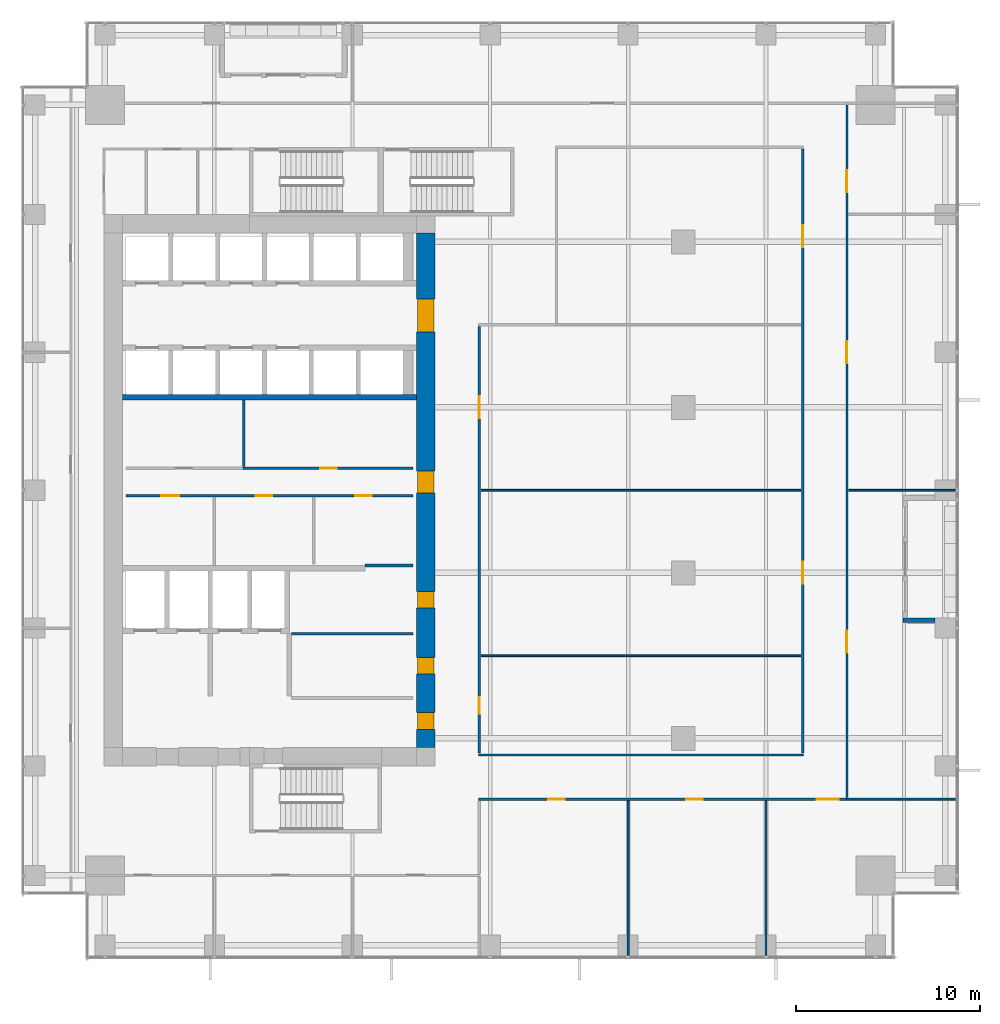
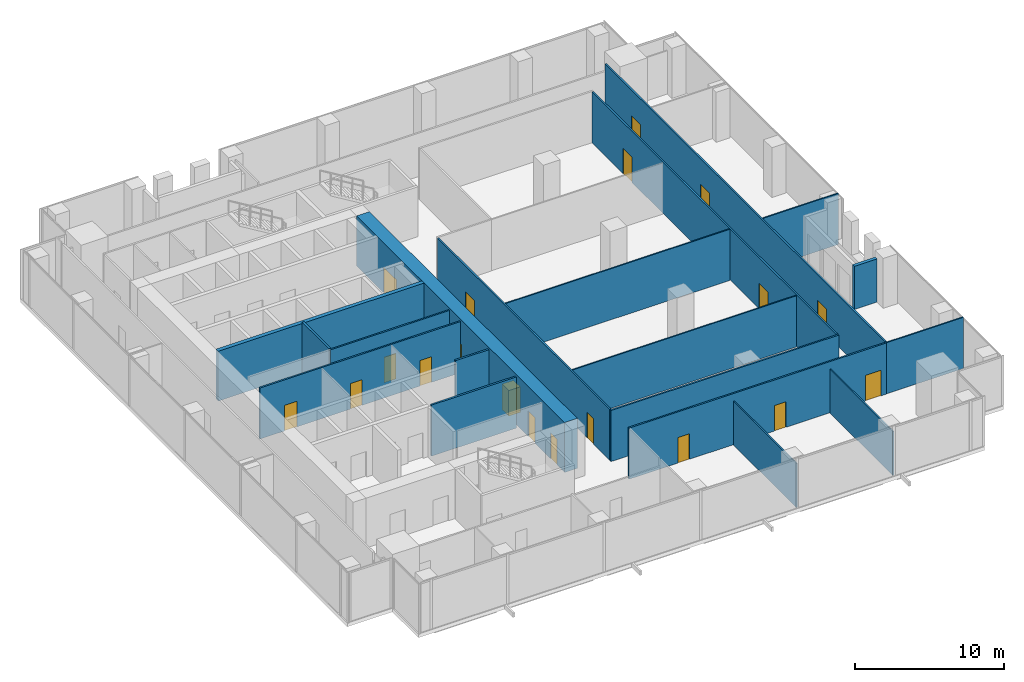
# One storey, part 29 of 34: 19 doors, 19 walls, 19 openings.
"""IFC4 building model written with IfcOpenShell, lengths in metres."""

from ifc_helpers import new_model, si_unit, direction, frame, frame_2d, origin, place, context, subcontext, project, spatial, rectangle, extrude, source, transform, mapped, material, layer, layer_set, type_object, element, fill, save


model = new_model("IFC4")

# Units and contexts
model_context = context("Model", 3, precision=1e-05, world=origin(), true_north=direction((0.0, 1.0)))
body_context = subcontext(model_context, "Body", "Model", "MODEL_VIEW")
ifc_project = project(units=[si_unit("LENGTHUNIT", "METRE"), si_unit("AREAUNIT", "SQUARE_METRE"), si_unit("VOLUMEUNIT", "CUBIC_METRE"), si_unit("PLANEANGLEUNIT", "RADIAN"), si_unit("MASSUNIT", "GRAM", prefix="KILO")], contexts=[model_context])

# Site, building, storey
site_placement = place(None, origin())
site = spatial("IfcSite", under=ifc_project, at=site_placement, CompositionType="ELEMENT")
building_placement = place(site_placement, origin())
building = spatial("IfcBuilding", under=site, at=building_placement, Name="Khomas Fold Tower", CompositionType="ELEMENT")
storey_placement = place(building_placement, frame((0.0, 0.0, 105.89990234375)))
storey = spatial("IfcBuildingStorey", under=building, at=storey_placement, Name="L22", CompositionType="ELEMENT", Elevation=105.89990234375)

# Wall, openings, doors
ifc_material_1 = material(Name="Concrete C70/85", Category="concrete")
ifc_layer_1 = layer(ifc_material_1, 1.0)
ifc_layer_set_1 = layer_set([ifc_layer_1], Name="Concrete C70/85")
wall_type_1 = type_object("IfcWallType", Name="Core wall 1000", PredefinedType="SHEAR", material=ifc_layer_set_1)
shared_shape_1 = source(origin(), body_context, "Body", "SweptSolid", [
    extrude(rectangle(XDim=28.0, YDim=1.0, at=frame_2d((14.0, 0.0))), origin(), (0.0, 0.0, 1.0), 4.10009765625),
])
wall_1_placement = place(storey_placement, frame((23.5, 13.0, 0.0), z_axis=(0.0, 0.0, 1.0), x_axis=(0.0, 1.0, 0.0)))
wall_1 = element("IfcWall", 1, at=wall_1_placement, inside=storey, type_object=wall_type_1, Name="Core wall CW-L-E-L21", PredefinedType="SHEAR", context=body_context, shape_type="MappedRepresentation", body=[
    mapped(shared_shape_1, transform((0.0, 0.0, 0.0))),
])
shared_shape_2 = source(origin(), body_context, "Body", "SweptSolid", [
    extrude(rectangle(XDim=1.800048828125, YDim=2.10009765625, at=frame_2d((0.89990234375, 1.050048828125))), frame((0.0, 0.510009765625, 0.0), z_axis=(0.0, -1.0, 0.0), x_axis=(1.0, 0.0, 0.0)), (0.0, 0.0, 1.0), 1.02001953125),
])
opening_1_placement = place(wall_1_placement, frame((22.60009765625, 0.0, 0.0)))
opening_1 = element("IfcOpeningElement", 2, at=opening_1_placement, cuts=wall_1, Name="Opening 0015", PredefinedType="OPENING", context=body_context, shape_type="MappedRepresentation", body=[
    mapped(shared_shape_2, transform((0.0, 0.0, 0.0))),
])
shared_shape_3 = source(origin(), body_context, "Body", "SweptSolid", [
    extrude(rectangle(XDim=1.199951171875, YDim=2.10009765625, at=frame_2d((0.60009765625, 1.050048828125))), frame((0.0, 0.510009765625, 0.0), z_axis=(0.0, -1.0, 0.0), x_axis=(1.0, 0.0, 0.0)), (0.0, 0.0, 1.0), 1.02001953125),
])
opening_2_placement = place(wall_1_placement, frame((13.85009765625, 0.0, 0.0)))
opening_2 = element("IfcOpeningElement", 3, at=opening_2_placement, cuts=wall_1, Name="Opening 0001", PredefinedType="OPENING", context=body_context, shape_type="MappedRepresentation", body=[
    mapped(shared_shape_3, transform((0.0, 0.0, 0.0))),
])
shared_shape_4 = source(origin(), body_context, "Body", "SweptSolid", [
    extrude(rectangle(XDim=0.89990234375, YDim=2.10009765625, at=frame_2d((0.449951171875, 1.050048828125))), frame((0.0, 0.510009765625, 0.0), z_axis=(0.0, -1.0, 0.0), x_axis=(1.0, 0.0, 0.0)), (0.0, 0.0, 1.0), 1.02001953125),
])
opening_3_placement = place(wall_1_placement, frame((1.0, 0.0, 0.0)))
opening_3 = element("IfcOpeningElement", 4, at=opening_3_placement, cuts=wall_1, Name="Opening 0008", PredefinedType="OPENING", context=body_context, shape_type="MappedRepresentation", body=[
    mapped(shared_shape_4, transform((0.0, 0.0, 0.0))),
])
opening_4_placement = place(wall_1_placement, frame((4.0, 0.0, 0.0)))
opening_4 = element("IfcOpeningElement", 5, at=opening_4_placement, cuts=wall_1, Name="Opening 0003", PredefinedType="OPENING", context=body_context, shape_type="MappedRepresentation", body=[
    mapped(shared_shape_4, transform((0.0, 0.0, 0.0))),
])
opening_5_placement = place(wall_1_placement, frame((7.60009765625, 0.0, 0.0)))
opening_5 = element("IfcOpeningElement", 6, at=opening_5_placement, cuts=wall_1, Name="Opening 0003", PredefinedType="OPENING", context=body_context, shape_type="MappedRepresentation", body=[
    mapped(shared_shape_4, transform((0.0, 0.0, 0.0))),
])
ifc_material_2 = material(Name="Steel door leaf", Category="steel")
door_type_1 = type_object("IfcDoorType", Name="Lobby door 1800x2100", OperationType="DOUBLE_DOOR_SINGLE_SWING", PredefinedType="DOOR", material=ifc_material_2)
shared_shape_5 = source(origin(), body_context, "Body", "SweptSolid", [
    extrude(rectangle(XDim=1.800048828125, YDim=2.10009765625, at=frame_2d((0.89990234375, 1.050048828125))), frame((0.0, 0.449951171875, 0.0), z_axis=(0.0, -1.0, 0.0), x_axis=(1.0, 0.0, 0.0)), (0.0, 0.0, 1.0), 0.89990234375),
])
door_1_placement = place(opening_1_placement, origin())
door_1 = element("IfcDoor", 7, at=door_1_placement, inside=storey, type_object=door_type_1, Name="Lobby door", OperationType="DOUBLE_DOOR_SINGLE_SWING", OverallHeight=2.10009765625, OverallWidth=1.800048828125, PredefinedType="DOOR", context=body_context, shape_type="MappedRepresentation", body=[
    mapped(shared_shape_5, transform((0.0, 0.0, 0.0))),
])
fill(opening_1, door_1)
ifc_material_3 = material(Name="Timber door leaf", Category="wood")
door_type_2 = type_object("IfcDoorType", Name="Door 1200x2100 right-hand", OperationType="SINGLE_SWING_RIGHT", PredefinedType="DOOR", material=ifc_material_3)
shared_shape_6 = source(origin(), body_context, "Body", "SweptSolid", [
    extrude(rectangle(XDim=1.199951171875, YDim=2.10009765625, at=frame_2d((0.60009765625, 1.050048828125))), frame((0.0, 0.449951171875, 0.0), z_axis=(0.0, -1.0, 0.0), x_axis=(1.0, 0.0, 0.0)), (0.0, 0.0, 1.0), 0.89990234375),
])
door_2_placement = place(opening_2_placement, origin())
door_2 = element("IfcDoor", 8, at=door_2_placement, inside=storey, type_object=door_type_2, Name="Door", OperationType="SINGLE_SWING_RIGHT", OverallHeight=2.10009765625, OverallWidth=1.199951171875, PredefinedType="DOOR", context=body_context, shape_type="MappedRepresentation", body=[
    mapped(shared_shape_6, transform((0.0, 0.0, 0.0))),
])
fill(opening_2, door_2)
ifc_material_4 = material(Name="Timber door leaf", Category="wood")
door_type_3 = type_object("IfcDoorType", Name="Door 900x2100 right-hand", OperationType="SINGLE_SWING_RIGHT", PredefinedType="DOOR", material=ifc_material_4)
shared_shape_7 = source(origin(), body_context, "Body", "SweptSolid", [
    extrude(rectangle(XDim=0.89990234375, YDim=2.10009765625, at=frame_2d((0.449951171875, 1.050048828125))), frame((0.0, 0.449951171875, 0.0), z_axis=(0.0, -1.0, 0.0), x_axis=(1.0, 0.0, 0.0)), (0.0, 0.0, 1.0), 0.89990234375),
])
door_3_placement = place(opening_3_placement, origin())
door_3 = element("IfcDoor", 9, at=door_3_placement, inside=storey, type_object=door_type_3, Name="Door", OperationType="SINGLE_SWING_RIGHT", OverallHeight=2.10009765625, OverallWidth=0.89990234375, PredefinedType="DOOR", context=body_context, shape_type="MappedRepresentation", body=[
    mapped(shared_shape_7, transform((0.0, 0.0, 0.0))),
])
fill(opening_3, door_3)
ifc_material_5 = material(Name="Steel door leaf", Category="steel")
door_type_4 = type_object("IfcDoorType", Name="Plant room door 900x2100 right-hand", OperationType="SINGLE_SWING_RIGHT", PredefinedType="DOOR", material=ifc_material_5)
door_4_placement = place(opening_4_placement, origin())
door_4 = element("IfcDoor", 10, at=door_4_placement, inside=storey, type_object=door_type_4, Name="Plant room door", OperationType="SINGLE_SWING_RIGHT", OverallHeight=2.10009765625, OverallWidth=0.89990234375, PredefinedType="DOOR", context=body_context, shape_type="MappedRepresentation", body=[
    mapped(shared_shape_7, transform((0.0, 0.0, 0.0))),
])
fill(opening_4, door_4)
door_5_placement = place(opening_5_placement, origin())
door_5 = element("IfcDoor", 11, at=door_5_placement, inside=storey, type_object=door_type_4, Name="Plant room door", OperationType="SINGLE_SWING_RIGHT", OverallHeight=2.10009765625, OverallWidth=0.89990234375, PredefinedType="DOOR", context=body_context, shape_type="MappedRepresentation", body=[
    mapped(shared_shape_7, transform((0.0, 0.0, 0.0))),
])
fill(opening_5, door_5)

# Walls
ifc_material_6 = material(Name="Concrete C50/60", Category="concrete")
ifc_layer_2 = layer(ifc_material_6, 0.300048828125)
ifc_layer_set_2 = layer_set([ifc_layer_2], Name="Concrete C50/60")
wall_type_2 = type_object("IfcWallType", Name="Shaft wall 300", PredefinedType="STANDARD", material=ifc_layer_set_2)
shared_shape_8 = source(origin(), body_context, "Body", "SweptSolid", [
    extrude(rectangle(XDim=16.0, YDim=0.300048828125, at=frame_2d((8.0, 0.0))), origin(), (0.0, 0.0, 1.0), 4.10009765625),
])
wall_2_placement = place(storey_placement, frame((7.0, 32.050048828125, 0.0), z_axis=(0.0, 0.0, 1.0), x_axis=(1.0, 0.0, 0.0)))
element("IfcWall", 12, at=wall_2_placement, inside=storey, type_object=wall_type_2, Name="Core wall SW-HRN-B", PredefinedType="STANDARD", context=body_context, shape_type="MappedRepresentation", body=[
    mapped(shared_shape_8, transform((0.0, 0.0, 0.0))),
])
ifc_material_7 = material(Name="Natural stone", Category="masonry")
ifc_layer_3 = layer(ifc_material_7, 0.0400390625)
ifc_material_8 = material(Name="Mineral wool insulation", Category="insulation")
ifc_layer_4 = layer(ifc_material_8, 0.10009765625)
ifc_material_9 = material(Name="Masonry", Category="masonry")
ifc_layer_5 = layer(ifc_material_9, 0.110107421875)
ifc_layer_set_3 = layer_set([ifc_layer_3, ifc_layer_4, ifc_layer_5], Name="Stone-faced insulated masonry")
wall_type_3 = type_object("IfcWallType", Name="BL-Balcony wall", PredefinedType="SOLIDWALL", material=ifc_layer_set_3)
shared_shape_9 = source(origin(), body_context, "Body", "SweptSolid", [
    extrude(rectangle(XDim=1.75, YDim=0.25, at=frame_2d((0.875, 0.0))), origin(), (0.0, 0.0, 1.0), 3.550048828125),
])
wall_3_placement = place(storey_placement, frame((51.199951171875, 19.925048828125, 0.0), z_axis=(0.0, 0.0, 1.0), x_axis=(-1.0, 0.0, 0.0)))
element("IfcWall", 13, at=wall_3_placement, inside=storey, type_object=wall_type_3, Name="Balcony return wall BAL-L22-E2-lo", PredefinedType="SOLIDWALL", context=body_context, shape_type="MappedRepresentation", body=[
    mapped(shared_shape_9, transform((0.0, 0.0, 0.0))),
])
ifc_material_10 = material(Name="Plasterboard partition")
ifc_layer_6 = layer(ifc_material_10, 0.10009765625)
ifc_layer_set_4 = layer_set([ifc_layer_6], Name="Plasterboard partition")
wall_type_4 = type_object("IfcWallType", Name="Partition PW1 100", PredefinedType="PARTITIONING", material=ifc_layer_set_4)
shared_shape_10 = source(origin(), body_context, "Body", "SweptSolid", [
    extrude(rectangle(XDim=8.4501953125, YDim=0.10009765625, at=frame_2d((4.22509765625, 0.0))), origin(), (0.0, 0.0, 1.0), 3.60009765625),
])
for number, where, z_axis, x_axis, name in (
    (14, (34.5, 1.64990234375, 0.0), (0.0, 0.0, 1.0), (0.0, 1.0, 0.0), "Partition"),
    (15, (42.0, 1.64990234375, 0.0), (0.0, 0.0, 1.0), (0.0, 1.0, 0.0), "Partition"),
):
    element("IfcWall", number, at=place(storey_placement, frame(where, z_axis=z_axis, x_axis=x_axis)), inside=storey, type_object=wall_type_4, Name=name, PredefinedType="PARTITIONING", context=body_context, shape_type="MappedRepresentation", body=[
        mapped(shared_shape_10, transform((0.0, 0.0, 0.0))),
    ])

# Wall, openings, doors
ifc_material_11 = material(Name="Plasterboard partition")
ifc_layer_7 = layer(ifc_material_11, 0.125)
ifc_layer_set_5 = layer_set([ifc_layer_7], Name="Plasterboard partition")
wall_type_5 = type_object("IfcWallType", Name="Partition PW2 125", PredefinedType="PARTITIONING", material=ifc_layer_set_5)
shared_shape_11 = source(origin(), body_context, "Body", "SweptSolid", [
    extrude(rectangle(XDim=20.0, YDim=0.125, at=frame_2d((10.0, 0.0))), origin(), (0.0, 0.0, 1.0), 4.2001953125),
])
wall_4_placement = place(storey_placement, frame((26.35009765625, 10.199951171875, 0.0), z_axis=(0.0, 0.0, 1.0), x_axis=(1.0, 0.0, 0.0)))
wall_4 = element("IfcWall", 16, at=wall_4_placement, inside=storey, type_object=wall_type_5, Name="Partition", PredefinedType="PARTITIONING", context=body_context, shape_type="MappedRepresentation", body=[
    mapped(shared_shape_11, transform((0.0, 0.0, 0.0))),
])
shared_shape_12 = source(origin(), body_context, "Body", "SweptSolid", [
    extrude(rectangle(XDim=0.89990234375, YDim=2.10009765625, at=frame_2d((0.449951171875, 1.050048828125))), frame((0.0, 0.072509765625, 0.0), z_axis=(0.0, -1.0, 0.0), x_axis=(1.0, 0.0, 0.0)), (0.0, 0.0, 1.0), 0.14501953125),
])
opening_6_placement = place(wall_4_placement, frame((3.800048828125, 0.0, 0.0)))
opening_6 = element("IfcOpeningElement", 17, at=opening_6_placement, cuts=wall_4, Name="Opening 0008", PredefinedType="OPENING", context=body_context, shape_type="MappedRepresentation", body=[
    mapped(shared_shape_12, transform((0.0, 0.0, 0.0))),
])
opening_7_placement = place(wall_4_placement, frame((11.300048828125, 0.0, 0.0)))
opening_7 = element("IfcOpeningElement", 18, at=opening_7_placement, cuts=wall_4, Name="Opening 0007", PredefinedType="OPENING", context=body_context, shape_type="MappedRepresentation", body=[
    mapped(shared_shape_12, transform((0.0, 0.0, 0.0))),
])
shared_shape_13 = source(origin(), body_context, "Body", "SweptSolid", [
    extrude(rectangle(XDim=1.199951171875, YDim=2.10009765625, at=frame_2d((0.60009765625, 1.050048828125))), frame((0.0, 0.072509765625, 0.0), z_axis=(0.0, -1.0, 0.0), x_axis=(1.0, 0.0, 0.0)), (0.0, 0.0, 1.0), 0.14501953125),
])
opening_8_placement = place(wall_4_placement, frame((18.39990234375, 0.0, 0.0)))
opening_8 = element("IfcOpeningElement", 19, at=opening_8_placement, cuts=wall_4, Name="Opening 0001", PredefinedType="OPENING", context=body_context, shape_type="MappedRepresentation", body=[
    mapped(shared_shape_13, transform((0.0, 0.0, 0.0))),
])
shared_shape_14 = source(origin(), body_context, "Body", "SweptSolid", [
    extrude(rectangle(XDim=0.89990234375, YDim=2.10009765625, at=frame_2d((0.449951171875, 1.050048828125))), frame((0.0, 0.02490234375, 0.0), z_axis=(0.0, -1.0, 0.0), x_axis=(1.0, 0.0, 0.0)), (0.0, 0.0, 1.0), 0.050048828125),
])
door_6_placement = place(opening_6_placement, origin())
door_6 = element("IfcDoor", 20, at=door_6_placement, inside=storey, type_object=door_type_3, Name="Door", OperationType="SINGLE_SWING_RIGHT", OverallHeight=2.10009765625, OverallWidth=0.89990234375, PredefinedType="DOOR", context=body_context, shape_type="MappedRepresentation", body=[
    mapped(shared_shape_14, transform((0.0, 0.0, 0.0))),
])
fill(opening_6, door_6)
ifc_material_12 = material(Name="Timber door leaf", Category="wood")
door_type_5 = type_object("IfcDoorType", Name="Door 900x2100 left-hand", OperationType="SINGLE_SWING_LEFT", PredefinedType="DOOR", material=ifc_material_12)
door_7_placement = place(opening_7_placement, origin())
door_7 = element("IfcDoor", 21, at=door_7_placement, inside=storey, type_object=door_type_5, Name="Door", OperationType="SINGLE_SWING_LEFT", OverallHeight=2.10009765625, OverallWidth=0.89990234375, PredefinedType="DOOR", context=body_context, shape_type="MappedRepresentation", body=[
    mapped(shared_shape_14, transform((0.0, 0.0, 0.0))),
])
fill(opening_7, door_7)
shared_shape_15 = source(origin(), body_context, "Body", "SweptSolid", [
    extrude(rectangle(XDim=1.199951171875, YDim=2.10009765625, at=frame_2d((0.60009765625, 1.050048828125))), frame((0.0, 0.02490234375, 0.0), z_axis=(0.0, -1.0, 0.0), x_axis=(1.0, 0.0, 0.0)), (0.0, 0.0, 1.0), 0.050048828125),
])
door_8_placement = place(opening_8_placement, origin())
door_8 = element("IfcDoor", 22, at=door_8_placement, inside=storey, type_object=door_type_2, Name="Door", OperationType="SINGLE_SWING_RIGHT", OverallHeight=2.10009765625, OverallWidth=1.199951171875, PredefinedType="DOOR", context=body_context, shape_type="MappedRepresentation", body=[
    mapped(shared_shape_15, transform((0.0, 0.0, 0.0))),
])
fill(opening_8, door_8)

# Wall
shared_shape_16 = source(origin(), body_context, "Body", "SweptSolid", [
    extrude(rectangle(XDim=6.0, YDim=0.10009765625, at=frame_2d((3.0, 0.0))), origin(), (0.0, 0.0, 1.0), 4.2001953125),
])
wall_5_placement = place(storey_placement, frame((46.35009765625, 10.199951171875, 0.0), z_axis=(0.0, 0.0, 1.0), x_axis=(1.0, 0.0, 0.0)))
element("IfcWall", 23, at=wall_5_placement, inside=storey, type_object=wall_type_4, Name="Partition", PredefinedType="PARTITIONING", context=body_context, shape_type="MappedRepresentation", body=[
    mapped(shared_shape_16, transform((0.0, 0.0, 0.0))),
])

# Wall, openings, doors
shared_shape_17 = source(origin(), body_context, "Body", "SweptSolid", [
    extrude(rectangle(XDim=37.64990234375, YDim=0.125, at=frame_2d((18.824951171875, 0.0))), origin(), (0.0, 0.0, 1.0), 4.2001953125),
])
wall_6_placement = place(storey_placement, frame((46.39990234375, 10.300048828125, 0.0), z_axis=(0.0, 0.0, 1.0), x_axis=(0.0, 1.0, 0.0)))
wall_6 = element("IfcWall", 24, at=wall_6_placement, inside=storey, type_object=wall_type_5, Name="Partition", PredefinedType="PARTITIONING", context=body_context, shape_type="MappedRepresentation", body=[
    mapped(shared_shape_17, transform((0.0, 0.0, 0.0))),
])
opening_9_placement = place(wall_6_placement, frame((7.85009765625, 0.0, 0.0)))
opening_9 = element("IfcOpeningElement", 25, at=opening_9_placement, cuts=wall_6, Name="Opening 0001", PredefinedType="OPENING", context=body_context, shape_type="MappedRepresentation", body=[
    mapped(shared_shape_13, transform((0.0, 0.0, 0.0))),
])
opening_10_placement = place(wall_6_placement, frame((23.60009765625, 0.0, 0.0)))
opening_10 = element("IfcOpeningElement", 26, at=opening_10_placement, cuts=wall_6, Name="Opening 0001", PredefinedType="OPENING", context=body_context, shape_type="MappedRepresentation", body=[
    mapped(shared_shape_13, transform((0.0, 0.0, 0.0))),
])
opening_11_placement = place(wall_6_placement, frame((32.89990234375, 0.0, 0.0)))
opening_11 = element("IfcOpeningElement", 27, at=opening_11_placement, cuts=wall_6, Name="Opening 0013", PredefinedType="OPENING", context=body_context, shape_type="MappedRepresentation", body=[
    mapped(shared_shape_13, transform((0.0, 0.0, 0.0))),
])
door_9_placement = place(opening_9_placement, origin())
door_9 = element("IfcDoor", 28, at=door_9_placement, inside=storey, type_object=door_type_2, Name="Door", OperationType="SINGLE_SWING_RIGHT", OverallHeight=2.10009765625, OverallWidth=1.199951171875, PredefinedType="DOOR", context=body_context, shape_type="MappedRepresentation", body=[
    mapped(shared_shape_15, transform((0.0, 0.0, 0.0))),
])
fill(opening_9, door_9)
door_10_placement = place(opening_10_placement, origin())
door_10 = element("IfcDoor", 29, at=door_10_placement, inside=storey, type_object=door_type_2, Name="Door", OperationType="SINGLE_SWING_RIGHT", OverallHeight=2.10009765625, OverallWidth=1.199951171875, PredefinedType="DOOR", context=body_context, shape_type="MappedRepresentation", body=[
    mapped(shared_shape_15, transform((0.0, 0.0, 0.0))),
])
fill(opening_10, door_10)
ifc_material_13 = material(Name="Timber door leaf", Category="wood")
door_type_6 = type_object("IfcDoorType", Name="Door 1200x2100 left-hand", OperationType="SINGLE_SWING_LEFT", PredefinedType="DOOR", material=ifc_material_13)
door_11_placement = place(opening_11_placement, origin())
door_11 = element("IfcDoor", 30, at=door_11_placement, inside=storey, type_object=door_type_6, Name="Door", OperationType="SINGLE_SWING_LEFT", OverallHeight=2.10009765625, OverallWidth=1.199951171875, PredefinedType="DOOR", context=body_context, shape_type="MappedRepresentation", body=[
    mapped(shared_shape_15, transform((0.0, 0.0, 0.0))),
])
fill(opening_11, door_11)

# Wall
shared_shape_18 = source(origin(), body_context, "Body", "SweptSolid", [
    extrude(rectangle(XDim=17.699951171875, YDim=0.125, at=frame_2d((8.85009765625, 0.0))), origin(), (0.0, 0.0, 1.0), 4.2001953125),
])
wall_7_placement = place(storey_placement, frame((26.35009765625, 12.60009765625, 0.0), z_axis=(0.0, 0.0, 1.0), x_axis=(1.0, 0.0, 0.0)))
element("IfcWall", 31, at=wall_7_placement, inside=storey, type_object=wall_type_5, Name="Partition", PredefinedType="PARTITIONING", context=body_context, shape_type="MappedRepresentation", body=[
    mapped(shared_shape_18, transform((0.0, 0.0, 0.0))),
])

# Wall, openings, doors
shared_shape_19 = source(origin(), body_context, "Body", "SweptSolid", [
    extrude(rectangle(XDim=23.199951171875, YDim=0.125, at=frame_2d((11.60009765625, 0.0))), origin(), (0.0, 0.0, 1.0), 4.2001953125),
])
wall_8_placement = place(storey_placement, frame((26.39990234375, 12.699951171875, 0.0), z_axis=(0.0, 0.0, 1.0), x_axis=(0.0, 1.0, 0.0)))
wall_8 = element("IfcWall", 32, at=wall_8_placement, inside=storey, type_object=wall_type_5, Name="Partition", PredefinedType="PARTITIONING", context=body_context, shape_type="MappedRepresentation", body=[
    mapped(shared_shape_19, transform((0.0, 0.0, 0.0))),
])
opening_12_placement = place(wall_8_placement, frame((2.14990234375, 0.0, 0.0)))
opening_12 = element("IfcOpeningElement", 33, at=opening_12_placement, cuts=wall_8, Name="Opening 0007", PredefinedType="OPENING", context=body_context, shape_type="MappedRepresentation", body=[
    mapped(shared_shape_12, transform((0.0, 0.0, 0.0))),
])
opening_13_placement = place(wall_8_placement, frame((18.199951171875, 0.0, 0.0)))
opening_13 = element("IfcOpeningElement", 34, at=opening_13_placement, cuts=wall_8, Name="Opening 0001", PredefinedType="OPENING", context=body_context, shape_type="MappedRepresentation", body=[
    mapped(shared_shape_13, transform((0.0, 0.0, 0.0))),
])
door_12_placement = place(opening_12_placement, origin())
door_12 = element("IfcDoor", 35, at=door_12_placement, inside=storey, type_object=door_type_5, Name="Door", OperationType="SINGLE_SWING_LEFT", OverallHeight=2.10009765625, OverallWidth=0.89990234375, PredefinedType="DOOR", context=body_context, shape_type="MappedRepresentation", body=[
    mapped(shared_shape_14, transform((0.0, 0.0, 0.0))),
])
fill(opening_12, door_12)
door_13_placement = place(opening_13_placement, origin())
door_13 = element("IfcDoor", 36, at=door_13_placement, inside=storey, type_object=door_type_2, Name="Door", OperationType="SINGLE_SWING_RIGHT", OverallHeight=2.10009765625, OverallWidth=1.199951171875, PredefinedType="DOOR", context=body_context, shape_type="MappedRepresentation", body=[
    mapped(shared_shape_15, transform((0.0, 0.0, 0.0))),
])
fill(opening_13, door_13)

shared_shape_20 = source(origin(), body_context, "Body", "SweptSolid", [
    extrude(rectangle(XDim=32.85009765625, YDim=0.125, at=frame_2d((16.425048828125, 0.0))), origin(), (0.0, 0.0, 1.0), 4.2001953125),
])
wall_9_placement = place(storey_placement, frame((44.0, 12.699951171875, 0.0), z_axis=(0.0, 0.0, 1.0), x_axis=(0.0, 1.0, 0.0)))
wall_9 = element("IfcWall", 37, at=wall_9_placement, inside=storey, type_object=wall_type_5, Name="Partition", PredefinedType="PARTITIONING", context=body_context, shape_type="MappedRepresentation", body=[
    mapped(shared_shape_20, transform((0.0, 0.0, 0.0))),
])
opening_14_placement = place(wall_9_placement, frame((9.199951171875, 0.0, 0.0)))
opening_14 = element("IfcOpeningElement", 38, at=opening_14_placement, cuts=wall_9, Name="Opening 0013", PredefinedType="OPENING", context=body_context, shape_type="MappedRepresentation", body=[
    mapped(shared_shape_13, transform((0.0, 0.0, 0.0))),
])
opening_15_placement = place(wall_9_placement, frame((27.5, 0.0, 0.0)))
opening_15 = element("IfcOpeningElement", 39, at=opening_15_placement, cuts=wall_9, Name="Opening 0013", PredefinedType="OPENING", context=body_context, shape_type="MappedRepresentation", body=[
    mapped(shared_shape_13, transform((0.0, 0.0, 0.0))),
])
door_14_placement = place(opening_14_placement, origin())
door_14 = element("IfcDoor", 40, at=door_14_placement, inside=storey, type_object=door_type_6, Name="Door", OperationType="SINGLE_SWING_LEFT", OverallHeight=2.10009765625, OverallWidth=1.199951171875, PredefinedType="DOOR", context=body_context, shape_type="MappedRepresentation", body=[
    mapped(shared_shape_15, transform((0.0, 0.0, 0.0))),
])
fill(opening_14, door_14)
door_15_placement = place(opening_15_placement, origin())
door_15 = element("IfcDoor", 41, at=door_15_placement, inside=storey, type_object=door_type_6, Name="Door", OperationType="SINGLE_SWING_LEFT", OverallHeight=2.10009765625, OverallWidth=1.199951171875, PredefinedType="DOOR", context=body_context, shape_type="MappedRepresentation", body=[
    mapped(shared_shape_15, transform((0.0, 0.0, 0.0))),
])
fill(opening_15, door_15)

# Walls
ifc_material_14 = material(Name="Plasterboard fire partition")
ifc_layer_8 = layer(ifc_material_14, 0.14990234375)
ifc_layer_set_6 = layer_set([ifc_layer_8], Name="Plasterboard fire partition")
wall_type_6 = type_object("IfcWallType", Name="Plant room wall PW3 150", PredefinedType="PARTITIONING", material=ifc_layer_set_6)
shared_shape_21 = source(origin(), body_context, "Body", "SweptSolid", [
    extrude(rectangle(XDim=6.60009765625, YDim=0.14990234375, at=frame_2d((3.300048828125, 0.0))), origin(), (0.0, 0.0, 1.0), 4.2001953125),
])
wall_10_placement = place(storey_placement, frame((16.199951171875, 19.199951171875, 0.0), z_axis=(0.0, 0.0, 1.0), x_axis=(1.0, 0.0, 0.0)))
element("IfcWall", 42, at=wall_10_placement, inside=storey, type_object=wall_type_6, Name="Plant room wall", PredefinedType="PARTITIONING", context=body_context, shape_type="MappedRepresentation", body=[
    mapped(shared_shape_21, transform((0.0, 0.0, 0.0))),
])
shared_shape_22 = source(origin(), body_context, "Body", "SweptSolid", [
    extrude(rectangle(XDim=17.39990234375, YDim=0.10009765625, at=frame_2d((8.699951171875, 0.0))), origin(), (0.0, 0.0, 1.0), 4.2001953125),
])
for number, where, z_axis, x_axis, name in (
    (43, (26.5, 18.0, 0.0), (0.0, 0.0, 1.0), (1.0, 0.0, 0.0), "Partition"),
    (44, (26.5, 27.0, 0.0), (0.0, 0.0, 1.0), (1.0, 0.0, 0.0), "Partition"),
):
    element("IfcWall", number, at=place(storey_placement, frame(where, z_axis=z_axis, x_axis=x_axis)), inside=storey, type_object=wall_type_4, Name=name, PredefinedType="PARTITIONING", context=body_context, shape_type="MappedRepresentation", body=[
        mapped(shared_shape_22, transform((0.0, 0.0, 0.0))),
    ])
shared_shape_23 = source(origin(), body_context, "Body", "SweptSolid", [
    extrude(rectangle(XDim=2.60009765625, YDim=0.14990234375, at=frame_2d((1.300048828125, 0.0))), origin(), (0.0, 0.0, 1.0), 4.2001953125),
])
wall_11_placement = place(storey_placement, frame((20.199951171875, 22.89990234375, 0.0), z_axis=(0.0, 0.0, 1.0), x_axis=(1.0, 0.0, 0.0)))
element("IfcWall", 45, at=wall_11_placement, inside=storey, type_object=wall_type_6, Name="Plant room wall", PredefinedType="PARTITIONING", context=body_context, shape_type="MappedRepresentation", body=[
    mapped(shared_shape_23, transform((0.0, 0.0, 0.0))),
])

# Wall, openings, doors
shared_shape_24 = source(origin(), body_context, "Body", "SweptSolid", [
    extrude(rectangle(XDim=15.60009765625, YDim=0.125, at=frame_2d((7.800048828125, 0.0))), origin(), (0.0, 0.0, 1.0), 4.2001953125),
])
wall_12_placement = place(storey_placement, frame((7.199951171875, 26.699951171875, 0.0), z_axis=(0.0, 0.0, 1.0), x_axis=(1.0, 0.0, 0.0)))
wall_12 = element("IfcWall", 46, at=wall_12_placement, inside=storey, type_object=wall_type_5, Name="Partition", PredefinedType="PARTITIONING", context=body_context, shape_type="MappedRepresentation", body=[
    mapped(shared_shape_24, transform((0.0, 0.0, 0.0))),
])
shared_shape_25 = source(origin(), body_context, "Body", "SweptSolid", [
    extrude(rectangle(XDim=1.0, YDim=2.10009765625, at=frame_2d((0.5, 1.050048828125))), frame((0.0, 0.072509765625, 0.0), z_axis=(0.0, -1.0, 0.0), x_axis=(1.0, 0.0, 0.0)), (0.0, 0.0, 1.0), 0.14501953125),
])
opening_16_placement = place(wall_12_placement, frame((1.89990234375, 0.0, 0.0)))
opening_16 = element("IfcOpeningElement", 47, at=opening_16_placement, cuts=wall_12, Name="Opening 0014", PredefinedType="OPENING", context=body_context, shape_type="MappedRepresentation", body=[
    mapped(shared_shape_25, transform((0.0, 0.0, 0.0))),
])
opening_17_placement = place(wall_12_placement, frame((7.050048828125, 0.0, 0.0)))
opening_17 = element("IfcOpeningElement", 48, at=opening_17_placement, cuts=wall_12, Name="Opening 0004", PredefinedType="OPENING", context=body_context, shape_type="MappedRepresentation", body=[
    mapped(shared_shape_12, transform((0.0, 0.0, 0.0))),
])
opening_18_placement = place(wall_12_placement, frame((12.449951171875, 0.0, 0.0)))
opening_18 = element("IfcOpeningElement", 49, at=opening_18_placement, cuts=wall_12, Name="Opening 0005", PredefinedType="OPENING", context=body_context, shape_type="MappedRepresentation", body=[
    mapped(shared_shape_12, transform((0.0, 0.0, 0.0))),
])
ifc_material_15 = material(Name="Timber door leaf", Category="wood")
door_type_7 = type_object("IfcDoorType", Name="WC door 900x2100 right-hand", OperationType="SINGLE_SWING_RIGHT", PredefinedType="DOOR", material=ifc_material_15)
door_16_placement = place(opening_17_placement, origin())
door_16 = element("IfcDoor", 50, at=door_16_placement, inside=storey, type_object=door_type_7, Name="WC door", OperationType="SINGLE_SWING_RIGHT", OverallHeight=2.10009765625, OverallWidth=0.89990234375, PredefinedType="DOOR", context=body_context, shape_type="MappedRepresentation", body=[
    mapped(shared_shape_14, transform((0.0, 0.0, 0.0))),
])
fill(opening_17, door_16)
ifc_material_16 = material(Name="Timber door leaf", Category="wood")
door_type_8 = type_object("IfcDoorType", Name="WC door 900x2100 left-hand", OperationType="SINGLE_SWING_LEFT", PredefinedType="DOOR", material=ifc_material_16)
door_17_placement = place(opening_18_placement, origin())
door_17 = element("IfcDoor", 51, at=door_17_placement, inside=storey, type_object=door_type_8, Name="WC door", OperationType="SINGLE_SWING_LEFT", OverallHeight=2.10009765625, OverallWidth=0.89990234375, PredefinedType="DOOR", context=body_context, shape_type="MappedRepresentation", body=[
    mapped(shared_shape_14, transform((0.0, 0.0, 0.0))),
])
fill(opening_18, door_17)
ifc_material_17 = material(Name="Timber door leaf", Category="wood")
door_type_9 = type_object("IfcDoorType", Name="WC door 1000x2100 left-hand", OperationType="SINGLE_SWING_LEFT", PredefinedType="DOOR", material=ifc_material_17)
shared_shape_26 = source(origin(), body_context, "Body", "SweptSolid", [
    extrude(rectangle(XDim=1.0, YDim=2.10009765625, at=frame_2d((0.5, 1.050048828125))), frame((0.0, 0.02490234375, 0.0), z_axis=(0.0, -1.0, 0.0), x_axis=(1.0, 0.0, 0.0)), (0.0, 0.0, 1.0), 0.050048828125),
])
door_18_placement = place(opening_16_placement, origin())
door_18 = element("IfcDoor", 52, at=door_18_placement, inside=storey, type_object=door_type_9, Name="WC door", OperationType="SINGLE_SWING_LEFT", OverallHeight=2.10009765625, OverallWidth=1.0, PredefinedType="DOOR", context=body_context, shape_type="MappedRepresentation", body=[
    mapped(shared_shape_26, transform((0.0, 0.0, 0.0))),
])
fill(opening_16, door_18)

# Wall
shared_shape_27 = source(origin(), body_context, "Body", "SweptSolid", [
    extrude(rectangle(XDim=5.85009765625, YDim=0.10009765625, at=frame_2d((2.925048828125, 0.0))), origin(), (0.0, 0.0, 1.0), 4.2001953125),
])
wall_13_placement = place(storey_placement, frame((46.5, 27.0, 0.0), z_axis=(0.0, 0.0, 1.0), x_axis=(1.0, 0.0, 0.0)))
element("IfcWall", 53, at=wall_13_placement, inside=storey, type_object=wall_type_4, Name="Partition", PredefinedType="PARTITIONING", context=body_context, shape_type="MappedRepresentation", body=[
    mapped(shared_shape_27, transform((0.0, 0.0, 0.0))),
])

# Wall, opening, door
shared_shape_28 = source(origin(), body_context, "Body", "SweptSolid", [
    extrude(rectangle(XDim=9.25, YDim=0.125, at=frame_2d((4.625, 0.0))), origin(), (0.0, 0.0, 1.0), 4.2001953125),
])
wall_14_placement = place(storey_placement, frame((13.550048828125, 28.199951171875, 0.0), z_axis=(0.0, 0.0, 1.0), x_axis=(1.0, 0.0, 0.0)))
wall_14 = element("IfcWall", 54, at=wall_14_placement, inside=storey, type_object=wall_type_5, Name="Partition", PredefinedType="PARTITIONING", context=body_context, shape_type="MappedRepresentation", body=[
    mapped(shared_shape_28, transform((0.0, 0.0, 0.0))),
])
opening_19_placement = place(wall_14_placement, frame((4.199951171875, 0.0, 0.0)))
opening_19 = element("IfcOpeningElement", 55, at=opening_19_placement, cuts=wall_14, Name="Opening 0007", PredefinedType="OPENING", context=body_context, shape_type="MappedRepresentation", body=[
    mapped(shared_shape_12, transform((0.0, 0.0, 0.0))),
])
door_19_placement = place(opening_19_placement, origin())
door_19 = element("IfcDoor", 56, at=door_19_placement, inside=storey, type_object=door_type_5, Name="Door", OperationType="SINGLE_SWING_LEFT", OverallHeight=2.10009765625, OverallWidth=0.89990234375, PredefinedType="DOOR", context=body_context, shape_type="MappedRepresentation", body=[
    mapped(shared_shape_14, transform((0.0, 0.0, 0.0))),
])
fill(opening_19, door_19)

# Wall
shared_shape_29 = source(origin(), body_context, "Body", "SweptSolid", [
    extrude(rectangle(XDim=3.599853515625, YDim=0.14990234375, at=frame_2d((1.7998046875, 0.0))), origin(), (0.0, 0.0, 1.0), 4.2001953125),
])
wall_15_placement = place(storey_placement, frame((13.60009765625, 28.300048828125, 0.0), z_axis=(0.0, 0.0, 1.0), x_axis=(0.0, 1.0, 0.0)))
element("IfcWall", 57, at=wall_15_placement, inside=storey, type_object=wall_type_6, Name="Plant room wall", PredefinedType="PARTITIONING", context=body_context, shape_type="MappedRepresentation", body=[
    mapped(shared_shape_29, transform((0.0, 0.0, 0.0))),
])

save(model, "model.ifc")
